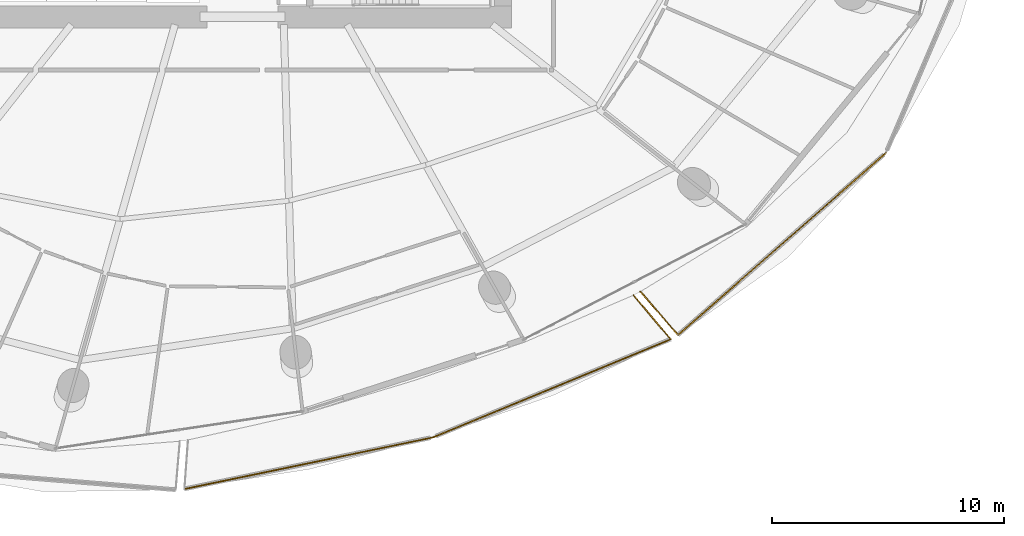
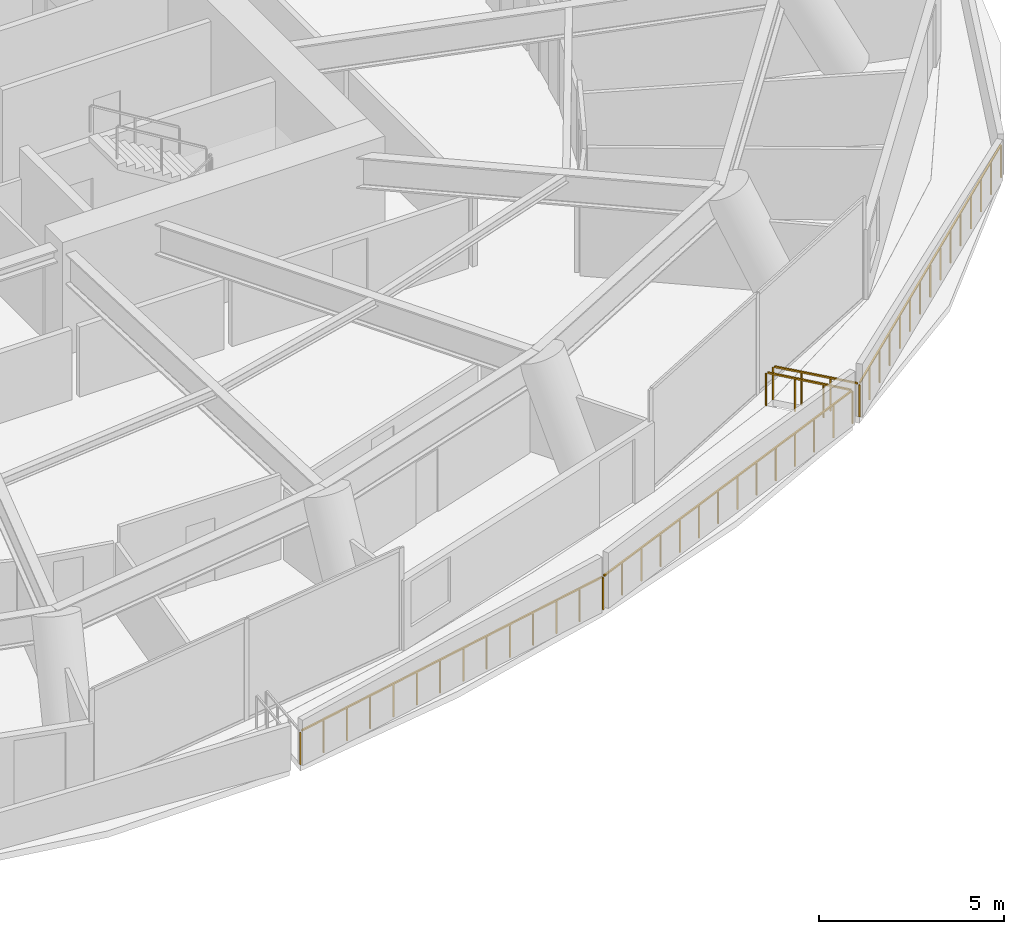
# One storey, part 27 of 31: 5 railings.
"""IFC4 building model written with IfcOpenShell, lengths in metres."""

from ifc_helpers import new_model, si_unit, direction, frame, origin, origin_2d, place, context, subcontext, project, spatial, rectangle, extrude, material, type_object, element, save


model = new_model("IFC4")

# Units and contexts
model_context = context("Model", 3, precision=1e-05, world=origin(), true_north=direction((0.0, 1.0)))
body_context = subcontext(model_context, "Body", "Model", "MODEL_VIEW")
ifc_project = project(units=[si_unit("LENGTHUNIT", "METRE"), si_unit("AREAUNIT", "SQUARE_METRE"), si_unit("VOLUMEUNIT", "CUBIC_METRE"), si_unit("PLANEANGLEUNIT", "RADIAN"), si_unit("MASSUNIT", "GRAM", prefix="KILO")], contexts=[model_context])

# Site, building, storey
site_placement = place(None, origin())
site = spatial("IfcSite", under=ifc_project, at=site_placement, CompositionType="ELEMENT")
building_placement = place(site_placement, origin())
building = spatial("IfcBuilding", under=site, at=building_placement, Name="Kazma Halo Residences", CompositionType="ELEMENT")
storey_placement = place(building_placement, frame((0.0, 0.0, 71.39990234375)))
storey = spatial("IfcBuildingStorey", under=building, at=storey_placement, Name="L17", CompositionType="ELEMENT", Elevation=71.39990234375)

# Railings
ifc_material = material(Name="Aluminium AW-6063 T6 Brushed Cap Rail", Category="aluminium")
railing_type = type_object("IfcRailingType", Name="RLG-BAL-CAP-1120", PredefinedType="BALUSTRADE", material=ifc_material)
railing_1_placement = place(storey_placement, frame((45.9111328125, 13.21044921875, 0.0)))
element("IfcRailing", 1, at=railing_1_placement, inside=storey, type_object=railing_type, Name="L17 SSE wave balcony guard 2", PredefinedType="BALUSTRADE", context=body_context, shape_type="SweptSolid", body=[
    extrude(rectangle(XDim=0.050048828125, YDim=0.050048828125, at=origin_2d()), frame((0.041748046875, 0.008544921875, 1.09521484375), z_axis=(0.979112484699, 0.2033193112, 0.0), x_axis=(-0.2033193112, 0.979112484699, 0.0)), (0.0, 0.0, 1.0), 10.863525390625),
    extrude(rectangle(XDim=0.0400390625, YDim=0.0400390625, at=origin_2d()), origin(), (0.0, 0.0, 1.0), 1.05810546875),
    extrude(rectangle(XDim=0.0400390625, YDim=0.0400390625, at=origin_2d()), frame((0.82470703125, 0.171142578125, 0.0)), (0.0, 0.0, 1.0), 1.05810546875),
    extrude(rectangle(XDim=0.0400390625, YDim=0.0400390625, at=origin_2d()), frame((1.649169921875, 0.342529296875, 0.0)), (0.0, 0.0, 1.0), 1.05810546875),
    extrude(rectangle(XDim=0.0400390625, YDim=0.0400390625, at=origin_2d()), frame((2.473876953125, 0.513671875, 0.0)), (0.0, 0.0, 1.0), 1.05810546875),
    extrude(rectangle(XDim=0.0400390625, YDim=0.0400390625, at=origin_2d()), frame((3.29833984375, 0.68505859375, 0.0)), (0.0, 0.0, 1.0), 1.05810546875),
    extrude(rectangle(XDim=0.0400390625, YDim=0.0400390625, at=origin_2d()), frame((4.123046875, 0.856201171875, 0.0)), (0.0, 0.0, 1.0), 1.05810546875),
    extrude(rectangle(XDim=0.0400390625, YDim=0.0400390625, at=origin_2d()), frame((4.94775390625, 1.02734375, 0.0)), (0.0, 0.0, 1.0), 1.05810546875),
    extrude(rectangle(XDim=0.0400390625, YDim=0.0400390625, at=origin_2d()), frame((5.772216796875, 1.19873046875, 0.0)), (0.0, 0.0, 1.0), 1.05810546875),
    extrude(rectangle(XDim=0.0400390625, YDim=0.0400390625, at=origin_2d()), frame((6.596923828125, 1.369873046875, 0.0)), (0.0, 0.0, 1.0), 1.05810546875),
    extrude(rectangle(XDim=0.0400390625, YDim=0.0400390625, at=origin_2d()), frame((7.421630859375, 1.541015625, 0.0)), (0.0, 0.0, 1.0), 1.05810546875),
    extrude(rectangle(XDim=0.0400390625, YDim=0.0400390625, at=origin_2d()), frame((8.24609375, 1.71240234375, 0.0)), (0.0, 0.0, 1.0), 1.05810546875),
    extrude(rectangle(XDim=0.0400390625, YDim=0.0400390625, at=origin_2d()), frame((9.07080078125, 1.883544921875, 0.0)), (0.0, 0.0, 1.0), 1.05810546875),
    extrude(rectangle(XDim=0.0400390625, YDim=0.0400390625, at=origin_2d()), frame((9.895263671875, 2.054931640625, 0.0)), (0.0, 0.0, 1.0), 1.05810546875),
    extrude(rectangle(XDim=0.0400390625, YDim=0.0400390625, at=origin_2d()), frame((10.719970703125, 2.22607421875, 0.0)), (0.0, 0.0, 1.0), 1.05810546875),
])
railing_2_placement = place(storey_placement, frame((56.631103515625, 15.4365234375, 0.0)))
element("IfcRailing", 2, at=railing_2_placement, inside=storey, type_object=railing_type, Name="L17 SSE wave balcony guard 3", PredefinedType="BALUSTRADE", context=body_context, shape_type="SweptSolid", body=[
    extrude(rectangle(XDim=0.050048828125, YDim=0.050048828125, at=origin_2d()), frame((0.039306640625, 0.016357421875, 1.09521484375), z_axis=(0.924216356135, 0.381869253873, 0.0), x_axis=(-0.381869253873, 0.924216356135, 0.0)), (0.0, 0.0, 1.0), 10.968994140625),
    extrude(rectangle(XDim=0.0400390625, YDim=0.0400390625, at=origin_2d()), origin(), (0.0, 0.0, 1.0), 1.05810546875),
    extrude(rectangle(XDim=0.0400390625, YDim=0.0400390625, at=origin_2d()), frame((0.785888671875, 0.32470703125, 0.0)), (0.0, 0.0, 1.0), 1.05810546875),
    extrude(rectangle(XDim=0.0400390625, YDim=0.0400390625, at=origin_2d()), frame((1.57177734375, 0.6494140625, 0.0)), (0.0, 0.0, 1.0), 1.05810546875),
    extrude(rectangle(XDim=0.0400390625, YDim=0.0400390625, at=origin_2d()), frame((2.357666015625, 0.97412109375, 0.0)), (0.0, 0.0, 1.0), 1.05810546875),
    extrude(rectangle(XDim=0.0400390625, YDim=0.0400390625, at=origin_2d()), frame((3.1435546875, 1.298828125, 0.0)), (0.0, 0.0, 1.0), 1.05810546875),
    extrude(rectangle(XDim=0.0400390625, YDim=0.0400390625, at=origin_2d()), frame((3.929443359375, 1.62353515625, 0.0)), (0.0, 0.0, 1.0), 1.05810546875),
    extrude(rectangle(XDim=0.0400390625, YDim=0.0400390625, at=origin_2d()), frame((4.71533203125, 1.9482421875, 0.0)), (0.0, 0.0, 1.0), 1.05810546875),
    extrude(rectangle(XDim=0.0400390625, YDim=0.0400390625, at=origin_2d()), frame((5.5009765625, 2.27294921875, 0.0)), (0.0, 0.0, 1.0), 1.05810546875),
    extrude(rectangle(XDim=0.0400390625, YDim=0.0400390625, at=origin_2d()), frame((6.286865234375, 2.59765625, 0.0)), (0.0, 0.0, 1.0), 1.05810546875),
    extrude(rectangle(XDim=0.0400390625, YDim=0.0400390625, at=origin_2d()), frame((7.07275390625, 2.92236328125, 0.0)), (0.0, 0.0, 1.0), 1.05810546875),
    extrude(rectangle(XDim=0.0400390625, YDim=0.0400390625, at=origin_2d()), frame((7.858642578125, 3.2470703125, 0.0)), (0.0, 0.0, 1.0), 1.05810546875),
    extrude(rectangle(XDim=0.0400390625, YDim=0.0400390625, at=origin_2d()), frame((8.64453125, 3.57177734375, 0.0)), (0.0, 0.0, 1.0), 1.05810546875),
    extrude(rectangle(XDim=0.0400390625, YDim=0.0400390625, at=origin_2d()), frame((9.430419921875, 3.896484375, 0.0)), (0.0, 0.0, 1.0), 1.05810546875),
    extrude(rectangle(XDim=0.0400390625, YDim=0.0400390625, at=origin_2d()), frame((10.21630859375, 4.22119140625, 0.0)), (0.0, 0.0, 1.0), 1.05810546875),
])
railing_3_placement = place(storey_placement, frame((66.847412109375, 19.65771484375, 0.0)))
element("IfcRailing", 3, at=railing_3_placement, inside=storey, type_object=railing_type, Name="L17 SSE wave balcony guard 4", PredefinedType="BALUSTRADE", context=body_context, shape_type="SweptSolid", body=[
    extrude(rectangle(XDim=0.050048828125, YDim=0.050048828125, at=origin_2d()), frame((-0.02734375, 0.032470703125, 1.09521484375), z_axis=(-0.644820619773, 0.764333937697, 0.0), x_axis=(-0.764333937697, -0.644820619773, 0.0)), (0.0, 0.0, 1.0), 2.394775390625),
    extrude(rectangle(XDim=0.0400390625, YDim=0.0400390625, at=origin_2d()), origin(), (0.0, 0.0, 1.0), 1.05810546875),
    extrude(rectangle(XDim=0.0400390625, YDim=0.0400390625, at=origin_2d()), frame((-0.532958984375, 0.6318359375, 0.0)), (0.0, 0.0, 1.0), 1.05810546875),
    extrude(rectangle(XDim=0.0400390625, YDim=0.0400390625, at=origin_2d()), frame((-1.066162109375, 1.263671875, 0.0)), (0.0, 0.0, 1.0), 1.05810546875),
    extrude(rectangle(XDim=0.0400390625, YDim=0.0400390625, at=origin_2d()), frame((-1.59912109375, 1.8955078125, 0.0)), (0.0, 0.0, 1.0), 1.05810546875),
])
railing_4_placement = place(storey_placement, frame((65.546142578125, 21.70849609375, 0.0)))
element("IfcRailing", 4, at=railing_4_placement, inside=storey, type_object=railing_type, Name="L17 SE wave balcony guard 1", PredefinedType="BALUSTRADE", context=body_context, shape_type="SweptSolid", body=[
    extrude(rectangle(XDim=0.050048828125, YDim=0.050048828125, at=origin_2d()), frame((0.02783203125, -0.0322265625, 1.09521484375), z_axis=(0.654087786706, -0.756418645514, 0.0), x_axis=(0.756418645514, 0.654087786706, 0.0)), (0.0, 0.0, 1.0), 2.38671875),
    extrude(rectangle(XDim=0.0400390625, YDim=0.0400390625, at=origin_2d()), origin(), (0.0, 0.0, 1.0), 1.05810546875),
    extrude(rectangle(XDim=0.0400390625, YDim=0.0400390625, at=origin_2d()), frame((0.538818359375, -0.623291015625, 0.0)), (0.0, 0.0, 1.0), 1.05810546875),
    extrude(rectangle(XDim=0.0400390625, YDim=0.0400390625, at=origin_2d()), frame((1.077880859375, -1.246337890625, 0.0)), (0.0, 0.0, 1.0), 1.05810546875),
    extrude(rectangle(XDim=0.0400390625, YDim=0.0400390625, at=origin_2d()), frame((1.61669921875, -1.86962890625, 0.0)), (0.0, 0.0, 1.0), 1.05810546875),
])
railing_5_placement = place(storey_placement, frame((67.162841796875, 19.8388671875, 0.0)))
element("IfcRailing", 5, at=railing_5_placement, inside=storey, type_object=railing_type, Name="L17 SE wave balcony guard 2", PredefinedType="BALUSTRADE", context=body_context, shape_type="SweptSolid", body=[
    extrude(rectangle(XDim=0.050048828125, YDim=0.050048828125, at=origin_2d()), frame((0.031982421875, 0.028076171875, 1.09521484375), z_axis=(0.752310924401, 0.658808221736, 0.0), x_axis=(-0.658808221736, 0.752310924401, 0.0)), (0.0, 0.0, 1.0), 11.810791015625),
    extrude(rectangle(XDim=0.0400390625, YDim=0.0400390625, at=origin_2d()), origin(), (0.0, 0.0, 1.0), 1.05810546875),
    extrude(rectangle(XDim=0.0400390625, YDim=0.0400390625, at=origin_2d()), frame((0.63916015625, 0.559814453125, 0.0)), (0.0, 0.0, 1.0), 1.05810546875),
    extrude(rectangle(XDim=0.0400390625, YDim=0.0400390625, at=origin_2d()), frame((1.278564453125, 1.11962890625, 0.0)), (0.0, 0.0, 1.0), 1.05810546875),
    extrude(rectangle(XDim=0.0400390625, YDim=0.0400390625, at=origin_2d()), frame((1.917724609375, 1.679443359375, 0.0)), (0.0, 0.0, 1.0), 1.05810546875),
    extrude(rectangle(XDim=0.0400390625, YDim=0.0400390625, at=origin_2d()), frame((2.556884765625, 2.2392578125, 0.0)), (0.0, 0.0, 1.0), 1.05810546875),
    extrude(rectangle(XDim=0.0400390625, YDim=0.0400390625, at=origin_2d()), frame((3.1962890625, 2.799072265625, 0.0)), (0.0, 0.0, 1.0), 1.05810546875),
    extrude(rectangle(XDim=0.0400390625, YDim=0.0400390625, at=origin_2d()), frame((3.83544921875, 3.35888671875, 0.0)), (0.0, 0.0, 1.0), 1.05810546875),
    extrude(rectangle(XDim=0.0400390625, YDim=0.0400390625, at=origin_2d()), frame((4.474609375, 3.91845703125, 0.0)), (0.0, 0.0, 1.0), 1.05810546875),
    extrude(rectangle(XDim=0.0400390625, YDim=0.0400390625, at=origin_2d()), frame((5.114013671875, 4.478271484375, 0.0)), (0.0, 0.0, 1.0), 1.05810546875),
    extrude(rectangle(XDim=0.0400390625, YDim=0.0400390625, at=origin_2d()), frame((5.753173828125, 5.0380859375, 0.0)), (0.0, 0.0, 1.0), 1.05810546875),
    extrude(rectangle(XDim=0.0400390625, YDim=0.0400390625, at=origin_2d()), frame((6.392578125, 5.597900390625, 0.0)), (0.0, 0.0, 1.0), 1.05810546875),
    extrude(rectangle(XDim=0.0400390625, YDim=0.0400390625, at=origin_2d()), frame((7.03173828125, 6.15771484375, 0.0)), (0.0, 0.0, 1.0), 1.05810546875),
    extrude(rectangle(XDim=0.0400390625, YDim=0.0400390625, at=origin_2d()), frame((7.6708984375, 6.717529296875, 0.0)), (0.0, 0.0, 1.0), 1.05810546875),
    extrude(rectangle(XDim=0.0400390625, YDim=0.0400390625, at=origin_2d()), frame((8.310302734375, 7.27734375, 0.0)), (0.0, 0.0, 1.0), 1.05810546875),
    extrude(rectangle(XDim=0.0400390625, YDim=0.0400390625, at=origin_2d()), frame((8.949462890625, 7.837158203125, 0.0)), (0.0, 0.0, 1.0), 1.05810546875),
])

save(model, "model.ifc")
